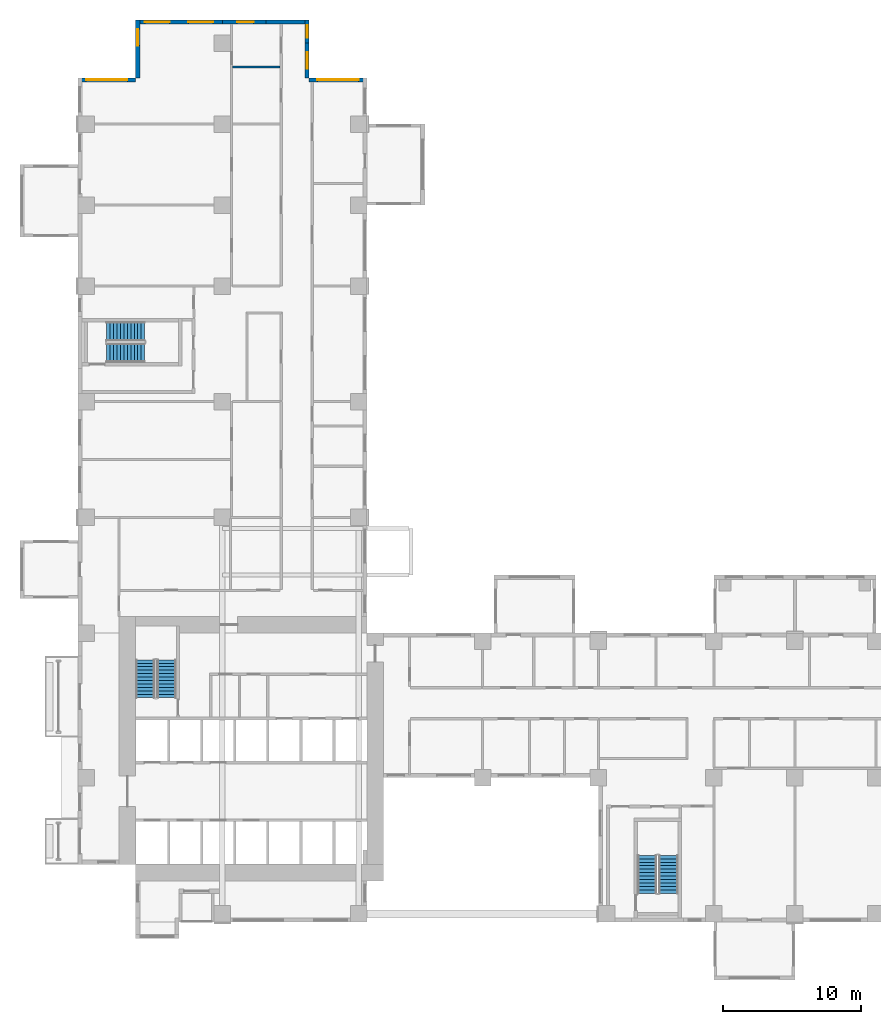
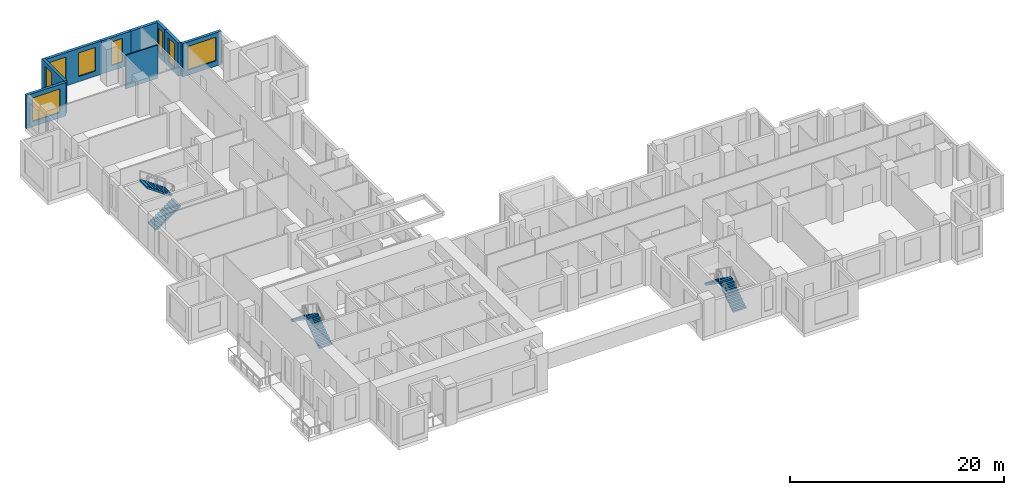
# One storey, part 10 of 14: 9 walls, 8 windows, 6 stair flights, 8 openings, 3 elements without a shape of their own.
"""IFC4 building model written with IfcOpenShell, lengths in metres."""

import ifcopenshell
import ifcopenshell.guid

model = None  # the IFC model being written
_history = None  # IfcOwnerHistory: only IFC2X3 demands one
_inside = {}  # id of a spatial element -> (the spatial element, [elements in it])
_under = {}  # id of a project, library or spatial element -> (it, [spatial elements below it])
_declared = {}  # id of a project -> (the project, [libraries it declares])
_typed = {}  # id of a type object -> (the type object, [elements of that type])
_made_of = {}  # id of a material, layer set ... -> (it, [elements and type objects made of it])


def new_model(schema):
    """Start an empty IFC model of exactly this schema.

    Asked for "IFC4X3", IfcOpenShell would pick the latest addendum, in which some entities
    have other attributes; the version numbers below select the first issue.
    IFC2X3 requires an IfcOwnerHistory on every rooted entity: one is made here for all.
    """
    global model, _history
    if schema == "IFC4X3":
        model = ifcopenshell.file(schema_version=(4, 3, 0, 0))
    else:
        model = ifcopenshell.file(schema=schema)
    _inside.clear()
    _under.clear()
    _declared.clear()
    _typed.clear()
    _made_of.clear()
    _history = None
    if model.schema == "IFC2X3":
        org = make("IfcOrganization", Name="unknown")
        user = make(
            "IfcPersonAndOrganization",
            ThePerson=make("IfcPerson", FamilyName="unknown"),
            TheOrganization=org,
        )
        app = make(
            "IfcApplication",
            ApplicationDeveloper=org,
            Version="unknown",
            ApplicationFullName="unknown",
            ApplicationIdentifier="unknown",
        )
        _history = make(
            "IfcOwnerHistory",
            OwningUser=user,
            OwningApplication=app,
            ChangeAction="ADDED",
            CreationDate=0,
        )
    return model


def make(cls, **values):
    """One entity of the class cls with the attributes given. An attribute that is None is left unset."""
    return model.create_entity(
        cls, **{name: value for name, value in values.items() if value is not None}
    )


def rooted(cls, **values):
    """An entity with a GlobalId (a new one), such as an element, a storey or a relation."""
    return make(cls, GlobalId=ifcopenshell.guid.new(), OwnerHistory=_history, **values)


def si_unit(unit_type, name, prefix=None):
    """IfcSIUnit, for example si_unit("LENGTHUNIT", "METRE", prefix="MILLI")."""
    return make("IfcSIUnit", UnitType=unit_type, Prefix=prefix, Name=name)


def assignment(units):
    """IfcUnitAssignment: the units of a project."""
    return None if units is None else make("IfcUnitAssignment", Units=units)


def point(xyz):
    """IfcCartesianPoint."""
    return None if xyz is None else make("IfcCartesianPoint", Coordinates=xyz)


def direction(xyz):
    """IfcDirection."""
    return None if xyz is None else make("IfcDirection", DirectionRatios=xyz)


def frame(location, z_axis=None, x_axis=None):
    """IfcAxis2Placement3D, a coordinate frame: its origin and axes. An axis left out is left unset."""
    return make(
        "IfcAxis2Placement3D",
        Location=point(location),
        Axis=direction(z_axis),
        RefDirection=direction(x_axis),
    )


def frame_2d(location, x_axis=None):
    """IfcAxis2Placement2D, a coordinate frame in the plane: its origin and x axis."""
    return make(
        "IfcAxis2Placement2D", Location=point(location), RefDirection=direction(x_axis)
    )


def origin():
    """The frame at (0, 0, 0) with its axes left unset."""
    return frame((0.0, 0.0, 0.0))


def place(relative_to, where):
    """IfcLocalPlacement: puts the frame where relative to a parent placement (None: the world)."""
    return make(
        "IfcLocalPlacement", PlacementRelTo=relative_to, RelativePlacement=where
    )


def context(
    kind, dimensions, precision=None, world=None, true_north=None, identifier=None
):
    """IfcGeometricRepresentationContext, for example the 3D "Model" context."""
    return make(
        "IfcGeometricRepresentationContext",
        ContextIdentifier=identifier,
        ContextType=kind,
        CoordinateSpaceDimension=dimensions,
        Precision=precision,
        WorldCoordinateSystem=world,
        TrueNorth=true_north,
    )


def subcontext(parent, identifier, kind, view, scale=None):
    """IfcGeometricRepresentationSubContext, for example "Body" below "Model"."""
    return make(
        "IfcGeometricRepresentationSubContext",
        ContextIdentifier=identifier,
        ContextType=kind,
        ParentContext=parent,
        TargetScale=scale,
        TargetView=view,
    )


def project(units=None, contexts=None):
    """IfcProject with its units and contexts."""
    return rooted(
        "IfcProject",
        Name="project",
        RepresentationContexts=contexts,
        UnitsInContext=assignment(units),
    )


def spatial(cls, under=None, at=None, **own):
    """A site, building, storey or space (cls), placed at a placement, below another one or the project."""
    s = rooted(cls, ObjectPlacement=at, **own)
    if under is not None:
        _under.setdefault(under.id(), (under, []))[1].append(s)
    return s


def polyline(points):
    """IfcPolyline through the points."""
    return make("IfcPolyline", Points=[point(p) for p in points])


def profile(cls, at=None, kind="AREA", **sizes):
    """A parametric profile (cls). Its sizes go by their IFC names, for example OverallWidth=200.0."""
    return make(cls, ProfileType=kind, Position=at, **sizes)


def rectangle(**sizes):
    """IfcRectangleProfileDef."""
    return profile("IfcRectangleProfileDef", **sizes)


def outline(outer, holes=None, kind="AREA"):
    """IfcArbitraryClosedProfileDef: a profile drawn as a closed curve; with holes, ...WithVoids."""
    if holes is None:
        return make("IfcArbitraryClosedProfileDef", ProfileType=kind, OuterCurve=outer)
    return make(
        "IfcArbitraryProfileDefWithVoids",
        ProfileType=kind,
        OuterCurve=outer,
        InnerCurves=holes,
    )


def extrude(swept, where, along, depth):
    """IfcExtrudedAreaSolid: the profile swept, set in the frame where, extruded along a direction by depth."""
    return make(
        "IfcExtrudedAreaSolid",
        SweptArea=swept,
        Position=where,
        ExtrudedDirection=direction(along),
        Depth=depth,
    )


def shape(context_of_items, identifier, shape_type, items):
    """IfcShapeRepresentation: the items that make up one representation, for example the "Body"."""
    return make(
        "IfcShapeRepresentation",
        ContextOfItems=context_of_items,
        RepresentationIdentifier=identifier,
        RepresentationType=shape_type,
        Items=items,
    )


def source(mapping_origin, context_of_items, identifier, shape_type, items):
    """IfcRepresentationMap: a shape defined once, which mapped items show again and again."""
    return make(
        "IfcRepresentationMap",
        MappingOrigin=mapping_origin,
        MappedRepresentation=shape(context_of_items, identifier, shape_type, items),
    )


def transform(
    local_origin,
    x_axis=None,
    y_axis=None,
    z_axis=None,
    scale=None,
    scale2=None,
    scale3=None,
    uniform=True,
):
    """IfcCartesianTransformationOperator3D, or its non-uniform kind. x_axis, y_axis, z_axis: its Axis1, 2, 3."""
    if uniform:
        return make(
            "IfcCartesianTransformationOperator3D",
            Axis1=direction(x_axis),
            Axis2=direction(y_axis),
            LocalOrigin=point(local_origin),
            Scale=scale,
            Axis3=direction(z_axis),
        )
    return make(
        "IfcCartesianTransformationOperator3DnonUniform",
        Axis1=direction(x_axis),
        Axis2=direction(y_axis),
        LocalOrigin=point(local_origin),
        Scale=scale,
        Axis3=direction(z_axis),
        Scale2=scale2,
        Scale3=scale3,
    )


def mapped(mapping_source, mapping_target):
    """IfcMappedItem: shows the shape of a source again, moved by a transform."""
    return make(
        "IfcMappedItem", MappingSource=mapping_source, MappingTarget=mapping_target
    )


def material(Name=None, Category=None):
    """IfcMaterial."""
    return make("IfcMaterial", Name=Name, Category=Category)


def layer(
    of_material, thickness, ventilated=None, Name=None, Category=None, Priority=None
):
    """IfcMaterialLayer: one layer of a wall or slab, of a material (None: an air gap)."""
    return make(
        "IfcMaterialLayer",
        Material=of_material,
        LayerThickness=thickness,
        IsVentilated=ventilated,
        Name=Name,
        Category=Category,
        Priority=Priority,
    )


def layer_set(layers, Name=None):
    """IfcMaterialLayerSet."""
    return make("IfcMaterialLayerSet", MaterialLayers=layers, LayerSetName=Name)


def made_of(thing, what):
    """Note that an element or type object is made of a material, layer set ...; save() writes the relation."""
    if what is not None:
        _made_of.setdefault(what.id(), (what, []))[1].append(thing)
    return thing


def type_object(cls, material=None, **own):
    """A type object (cls), such as IfcWallType, which elements share."""
    return made_of(rooted(cls, **own), material)


def element(
    cls,
    number,
    at=None,
    inside=None,
    cuts=None,
    type_object=None,
    material=None,
    context=None,
    identifier="Body",
    shape_type=None,
    held_by="IfcProductDefinitionShape",
    body=None,
    shapes=None,
    **own,
):
    """One element of the class cls, such as IfcWall. Its Tag is "e" and its number.

    at: its placement. inside: the storey or other place that contains it. cuts: it is an
    opening in that element (IfcRelVoidsElement). A single representation is given by context,
    identifier, shape_type and body (its items); several are given by shapes. held_by: the class
    of the entity that holds the representations. save() writes the other relations.
    """
    e = rooted(cls, Tag="e%d" % number, ObjectPlacement=at, **own)
    if body is not None:
        shapes = [shape(context, identifier, shape_type, body)]
    if shapes is not None:
        e.Representation = make(held_by, Representations=shapes)
    if inside is not None:
        _inside.setdefault(inside.id(), (inside, []))[1].append(e)
    if cuts is not None:
        rooted(
            "IfcRelVoidsElement", RelatingBuildingElement=cuts, RelatedOpeningElement=e
        )
    if type_object is not None:
        _typed.setdefault(type_object.id(), (type_object, []))[1].append(e)
    return made_of(e, material)


def fill(opening, filler):
    """IfcRelFillsElement: the door or window that sits in an opening."""
    return rooted(
        "IfcRelFillsElement",
        RelatingOpeningElement=opening,
        RelatedBuildingElement=filler,
    )


def aggregate(whole, parts):
    """IfcRelAggregates: a whole, such as a stair, and the parts it consists of."""
    return rooted("IfcRelAggregates", RelatingObject=whole, RelatedObjects=parts)


def save(model, path):
    """Write the relations noted so far, then the file.

    IfcRelAggregates (storeys below a building ...), IfcRelContainedInSpatialStructure (elements
    in a storey), IfcRelDefinesByType, IfcRelAssociatesMaterial and IfcRelDeclares: one each for
    every whole, place, type object, material and project.
    """
    for whole, parts in _under.values():
        aggregate(whole, parts)
    for where, things in _inside.values():
        rooted(
            "IfcRelContainedInSpatialStructure",
            RelatedElements=things,
            RelatingStructure=where,
        )
    for kind, things in _typed.values():
        rooted("IfcRelDefinesByType", RelatedObjects=things, RelatingType=kind)
    for what, things in _made_of.values():
        rooted("IfcRelAssociatesMaterial", RelatedObjects=things, RelatingMaterial=what)
    for by, libraries in _declared.values():
        rooted("IfcRelDeclares", RelatingContext=by, RelatedDefinitions=libraries)
    model.write(path)


model = new_model("IFC4")

# Units and contexts
model_context = context("Model", 3, precision=1e-05, world=origin(), true_north=direction((0.0, 1.0)))
body_context = subcontext(model_context, "Body", "Model", "MODEL_VIEW")
ifc_project = project(units=[si_unit("LENGTHUNIT", "METRE"), si_unit("AREAUNIT", "SQUARE_METRE"), si_unit("VOLUMEUNIT", "CUBIC_METRE"), si_unit("PLANEANGLEUNIT", "RADIAN"), si_unit("MASSUNIT", "GRAM", prefix="KILO")], contexts=[model_context])

# Site, building, storey
site_placement = place(None, origin())
site = spatial("IfcSite", under=ifc_project, at=site_placement, CompositionType="ELEMENT")
building_placement = place(site_placement, origin())
building = spatial("IfcBuilding", under=site, at=building_placement, Name="Aurelian Terraces", CompositionType="ELEMENT")
storey_placement = place(building_placement, frame((0.0, 0.0, 57.3)))
storey = spatial("IfcBuildingStorey", under=building, at=storey_placement, Name="L11", CompositionType="ELEMENT", Elevation=57.3)

# Wall
ifc_material_1 = material(Name="Terracotta rainscreen cladding", Category="masonry")
ifc_layer_1 = layer(ifc_material_1, 0.3)
ifc_layer_set_1 = layer_set([ifc_layer_1], Name="EW-300")
wall_type_1 = type_object("IfcWallType", Name="EW-300", PredefinedType="STANDARD", material=ifc_layer_set_1)
shared_shape_1 = source(origin(), body_context, "Body", "SweptSolid", [
    extrude(rectangle(XDim=3.15, YDim=0.3, at=frame_2d((1.575, 0.0))), origin(), (0.0, 0.0, 1.0), 3.8),
])
wall_1_placement = place(storey_placement, frame((16.8, 65.37, 0.0), z_axis=(0.0, 0.0, 1.0), x_axis=(-1.0, 0.0, 0.0)))
element("IfcWall", 1, at=wall_1_placement, inside=storey, type_object=wall_type_1, Name="External wall L11 F15.34", PredefinedType="STANDARD", context=body_context, shape_type="MappedRepresentation", body=[
    mapped(shared_shape_1, transform((0.0, 0.0, 0.0), scale=1.0)),
])

# Wall, opening, window
wall_2_placement = place(storey_placement, frame((13.65, 65.37, 0.0), z_axis=(0.0, 0.0, 1.0), x_axis=(-1.0, 0.0, 0.0)))
wall_2 = element("IfcWall", 2, at=wall_2_placement, inside=storey, type_object=wall_type_1, Name="External wall L11 F15.35", PredefinedType="STANDARD", context=body_context, shape_type="MappedRepresentation", body=[
    mapped(shared_shape_1, transform((0.0, 0.0, 0.0), scale=1.0)),
])
shared_shape_2 = source(origin(), body_context, "Body", "SweptSolid", [
    extrude(rectangle(XDim=1.2, YDim=2.7, at=frame_2d((0.6, 1.35))), frame((0.0, 0.16, 0.0), z_axis=(0.0, -1.0, 0.0), x_axis=(1.0, 0.0, 0.0)), (0.0, 0.0, 1.0), 0.32),
])
opening_1_placement = place(wall_2_placement, frame((0.8875, 0.0, 0.6)))
opening_1 = element("IfcOpeningElement", 3, at=opening_1_placement, cuts=wall_2, Name="Opening W1227", PredefinedType="OPENING", context=body_context, shape_type="MappedRepresentation", body=[
    mapped(shared_shape_2, transform((0.0, 0.0, 0.0), scale=1.0)),
])
ifc_material_2 = material(Name="Clear glazing", Category="glass")
window_type_1 = type_object("IfcWindowType", Name="W-1200x2700", PartitioningType="SINGLE_PANEL", PredefinedType="WINDOW", material=ifc_material_2)
shared_shape_3 = source(origin(), body_context, "Body", "SweptSolid", [
    extrude(rectangle(XDim=1.2, YDim=2.7, at=frame_2d((0.6, 1.35))), frame((0.0, 0.03, 0.0), z_axis=(0.0, -1.0, 0.0), x_axis=(1.0, 0.0, 0.0)), (0.0, 0.0, 1.0), 0.06),
])
window_1_placement = place(opening_1_placement, origin())
window_1 = element("IfcWindow", 4, at=window_1_placement, inside=storey, type_object=window_type_1, Name="Window L11 L11-F15-35-0", OverallHeight=2.7, OverallWidth=1.2, PartitioningType="SINGLE_PANEL", PredefinedType="WINDOW", context=body_context, shape_type="MappedRepresentation", body=[
    mapped(shared_shape_3, transform((0.0, 0.0, 0.0), scale=1.0)),
])
fill(opening_1, window_1)

shared_shape_4 = source(origin(), body_context, "Body", "SweptSolid", [
    extrude(rectangle(XDim=4.2, YDim=0.3, at=frame_2d((2.1, 0.0))), origin(), (0.0, 0.0, 1.0), 3.8),
])
wall_3_placement = place(storey_placement, frame((21.0, 61.17, 0.0), z_axis=(0.0, 0.0, 1.0), x_axis=(-1.0, 0.0, 0.0)))
wall_3 = element("IfcWall", 5, at=wall_3_placement, inside=storey, type_object=wall_type_1, Name="External wall L11 F13.31", PredefinedType="STANDARD", context=body_context, shape_type="MappedRepresentation", body=[
    mapped(shared_shape_4, transform((0.0, 0.0, 0.0), scale=1.0)),
])
shared_shape_5 = source(origin(), body_context, "Body", "SweptSolid", [
    extrude(rectangle(XDim=3.0, YDim=2.7, at=frame_2d((1.5, 1.35))), frame((0.0, 0.16, 0.0), z_axis=(0.0, -1.0, 0.0), x_axis=(1.0, 0.0, 0.0)), (0.0, 0.0, 1.0), 0.32),
])
opening_2_placement = place(wall_3_placement, frame((0.6, 0.0, 0.6)))
opening_2 = element("IfcOpeningElement", 6, at=opening_2_placement, cuts=wall_3, Name="Opening W3027", PredefinedType="OPENING", context=body_context, shape_type="MappedRepresentation", body=[
    mapped(shared_shape_5, transform((0.0, 0.0, 0.0), scale=1.0)),
])
window_type_2 = type_object("IfcWindowType", Name="W-3000x2700", PartitioningType="SINGLE_PANEL", PredefinedType="WINDOW", material=ifc_material_2)
shared_shape_6 = source(origin(), body_context, "Body", "SweptSolid", [
    extrude(rectangle(XDim=3.0, YDim=2.7, at=frame_2d((1.5, 1.35))), frame((0.0, 0.03, 0.0), z_axis=(0.0, -1.0, 0.0), x_axis=(1.0, 0.0, 0.0)), (0.0, 0.0, 1.0), 0.06),
])
window_2_placement = place(opening_2_placement, origin())
window_2 = element("IfcWindow", 7, at=window_2_placement, inside=storey, type_object=window_type_2, Name="Window L11 L11-F13-31-0", OverallHeight=2.7, OverallWidth=3.0, PartitioningType="SINGLE_PANEL", PredefinedType="WINDOW", context=body_context, shape_type="MappedRepresentation", body=[
    mapped(shared_shape_6, transform((0.0, 0.0, 0.0), scale=1.0)),
])
fill(opening_2, window_2)

wall_4_placement = place(storey_placement, frame((4.35, 65.52, 0.0), z_axis=(0.0, 0.0, 1.0), x_axis=(0.0, -1.0, 0.0)))
wall_4 = element("IfcWall", 8, at=wall_4_placement, inside=storey, type_object=wall_type_1, Name="External wall L11 F16.37", PredefinedType="STANDARD", context=body_context, shape_type="MappedRepresentation", body=[
    mapped(shared_shape_4, transform((0.0, 0.0, 0.0), scale=1.0)),
])
opening_3_placement = place(wall_4_placement, frame((0.66, 0.0, 0.6)))
opening_3 = element("IfcOpeningElement", 9, at=opening_3_placement, cuts=wall_4, Name="Opening W1227", PredefinedType="OPENING", context=body_context, shape_type="MappedRepresentation", body=[
    mapped(shared_shape_2, transform((0.0, 0.0, 0.0), scale=1.0)),
])
window_3_placement = place(opening_3_placement, origin())
window_3 = element("IfcWindow", 10, at=window_3_placement, inside=storey, type_object=window_type_1, Name="Window L11 L11-F16-37-0", OverallHeight=2.7, OverallWidth=1.2, PartitioningType="SINGLE_PANEL", PredefinedType="WINDOW", context=body_context, shape_type="MappedRepresentation", body=[
    mapped(shared_shape_3, transform((0.0, 0.0, 0.0), scale=1.0)),
])
fill(opening_3, window_3)

wall_5_placement = place(storey_placement, frame((4.2, 61.17, 0.0), z_axis=(0.0, 0.0, 1.0), x_axis=(-1.0, 0.0, 0.0)))
wall_5 = element("IfcWall", 11, at=wall_5_placement, inside=storey, type_object=wall_type_1, Name="External wall L11 F17.38", PredefinedType="STANDARD", context=body_context, shape_type="MappedRepresentation", body=[
    mapped(shared_shape_4, transform((0.0, 0.0, 0.0), scale=1.0)),
])
opening_4_placement = place(wall_5_placement, frame((0.6, 0.0, 0.6)))
opening_4 = element("IfcOpeningElement", 12, at=opening_4_placement, cuts=wall_5, Name="Opening W3027", PredefinedType="OPENING", context=body_context, shape_type="MappedRepresentation", body=[
    mapped(shared_shape_5, transform((0.0, 0.0, 0.0), scale=1.0)),
])
window_4_placement = place(opening_4_placement, origin())
window_4 = element("IfcWindow", 13, at=window_4_placement, inside=storey, type_object=window_type_2, Name="Window L11 L11-F17-38-0", OverallHeight=2.7, OverallWidth=3.0, PartitioningType="SINGLE_PANEL", PredefinedType="WINDOW", context=body_context, shape_type="MappedRepresentation", body=[
    mapped(shared_shape_6, transform((0.0, 0.0, 0.0), scale=1.0)),
])
fill(opening_4, window_4)

shared_shape_7 = source(origin(), body_context, "Body", "SweptSolid", [
    extrude(rectangle(XDim=2.52, YDim=0.3, at=frame_2d((1.26, 0.0))), origin(), (0.0, 0.0, 1.0), 3.8),
])
wall_6_placement = place(storey_placement, frame((16.65, 61.32, 0.0), z_axis=(0.0, 0.0, 1.0), x_axis=(0.0, 1.0, 0.0)))
wall_6 = element("IfcWall", 14, at=wall_6_placement, inside=storey, type_object=wall_type_1, Name="External wall L11 F14.32", PredefinedType="STANDARD", context=body_context, shape_type="MappedRepresentation", body=[
    mapped(shared_shape_7, transform((0.0, 0.0, 0.0), scale=1.0)),
])
opening_5_placement = place(wall_6_placement, frame((0.66, 0.0, 0.6)))
opening_5 = element("IfcOpeningElement", 15, at=opening_5_placement, cuts=wall_6, Name="Opening W1227", PredefinedType="OPENING", context=body_context, shape_type="MappedRepresentation", body=[
    mapped(shared_shape_2, transform((0.0, 0.0, 0.0), scale=1.0)),
])
window_5_placement = place(opening_5_placement, origin())
window_5 = element("IfcWindow", 16, at=window_5_placement, inside=storey, type_object=window_type_1, Name="Window L11 L11-F14-32-0", OverallHeight=2.7, OverallWidth=1.2, PartitioningType="SINGLE_PANEL", PredefinedType="WINDOW", context=body_context, shape_type="MappedRepresentation", body=[
    mapped(shared_shape_3, transform((0.0, 0.0, 0.0), scale=1.0)),
])
fill(opening_5, window_5)

shared_shape_8 = source(origin(), body_context, "Body", "SweptSolid", [
    extrude(rectangle(XDim=1.68, YDim=0.3, at=frame_2d((0.84, 0.0))), origin(), (0.0, 0.0, 1.0), 3.8),
])
wall_7_placement = place(storey_placement, frame((16.65, 63.84, 0.0), z_axis=(0.0, 0.0, 1.0), x_axis=(0.0, 1.0, 0.0)))
wall_7 = element("IfcWall", 17, at=wall_7_placement, inside=storey, type_object=wall_type_1, Name="External wall L11 F14.33", PredefinedType="STANDARD", context=body_context, shape_type="MappedRepresentation", body=[
    mapped(shared_shape_8, transform((0.0, 0.0, 0.0), scale=1.0)),
])
shared_shape_9 = source(origin(), body_context, "Body", "SweptSolid", [
    extrude(rectangle(XDim=0.9, YDim=2.7, at=frame_2d((0.45, 1.35))), frame((0.0, 0.16, 0.0), z_axis=(0.0, -1.0, 0.0), x_axis=(1.0, 0.0, 0.0)), (0.0, 0.0, 1.0), 0.32),
])
opening_6_placement = place(wall_7_placement, frame((0.39, 0.0, 0.6)))
opening_6 = element("IfcOpeningElement", 18, at=opening_6_placement, cuts=wall_7, Name="Opening W0927", PredefinedType="OPENING", context=body_context, shape_type="MappedRepresentation", body=[
    mapped(shared_shape_9, transform((0.0, 0.0, 0.0), scale=1.0)),
])
window_type_3 = type_object("IfcWindowType", Name="W-900x2700", PartitioningType="SINGLE_PANEL", PredefinedType="WINDOW", material=ifc_material_2)
shared_shape_10 = source(origin(), body_context, "Body", "SweptSolid", [
    extrude(rectangle(XDim=0.9, YDim=2.7, at=frame_2d((0.45, 1.35))), frame((0.0, 0.03, 0.0), z_axis=(0.0, -1.0, 0.0), x_axis=(1.0, 0.0, 0.0)), (0.0, 0.0, 1.0), 0.06),
])
window_6_placement = place(opening_6_placement, origin())
window_6 = element("IfcWindow", 19, at=window_6_placement, inside=storey, type_object=window_type_3, Name="Window L11 L11-F14-33-P0", OverallHeight=2.7, OverallWidth=0.9, PartitioningType="SINGLE_PANEL", PredefinedType="WINDOW", context=body_context, shape_type="MappedRepresentation", body=[
    mapped(shared_shape_10, transform((0.0, 0.0, 0.0), scale=1.0)),
])
fill(opening_6, window_6)

# Wall, openings, windows
shared_shape_11 = source(origin(), body_context, "Body", "SweptSolid", [
    extrude(rectangle(XDim=6.3, YDim=0.3, at=frame_2d((3.15, 0.0))), origin(), (0.0, 0.0, 1.0), 3.8),
])
wall_8_placement = place(storey_placement, frame((10.5, 65.37, 0.0), z_axis=(0.0, 0.0, 1.0), x_axis=(-1.0, 0.0, 0.0)))
wall_8 = element("IfcWall", 20, at=wall_8_placement, inside=storey, type_object=wall_type_1, Name="External wall L11 F15.36", PredefinedType="STANDARD", context=body_context, shape_type="MappedRepresentation", body=[
    mapped(shared_shape_11, transform((0.0, 0.0, 0.0), scale=1.0)),
])
shared_shape_12 = source(origin(), body_context, "Body", "SweptSolid", [
    extrude(rectangle(XDim=1.8, YDim=2.7, at=frame_2d((0.9, 1.35))), frame((0.0, 0.16, 0.0), z_axis=(0.0, -1.0, 0.0), x_axis=(1.0, 0.0, 0.0)), (0.0, 0.0, 1.0), 0.32),
])
opening_7_placement = place(wall_8_placement, frame((0.675, 0.0, 0.6)))
opening_7 = element("IfcOpeningElement", 21, at=opening_7_placement, cuts=wall_8, Name="Opening W1827", PredefinedType="OPENING", context=body_context, shape_type="MappedRepresentation", body=[
    mapped(shared_shape_12, transform((0.0, 0.0, 0.0), scale=1.0)),
])
opening_8_placement = place(wall_8_placement, frame((3.825, 0.0, 0.6)))
opening_8 = element("IfcOpeningElement", 22, at=opening_8_placement, cuts=wall_8, Name="Opening W1827", PredefinedType="OPENING", context=body_context, shape_type="MappedRepresentation", body=[
    mapped(shared_shape_12, transform((0.0, 0.0, 0.0), scale=1.0)),
])
window_type_4 = type_object("IfcWindowType", Name="W-1800x2700", PartitioningType="SINGLE_PANEL", PredefinedType="WINDOW", material=ifc_material_2)
shared_shape_13 = source(origin(), body_context, "Body", "SweptSolid", [
    extrude(rectangle(XDim=1.8, YDim=2.7, at=frame_2d((0.9, 1.35))), frame((0.0, 0.03, 0.0), z_axis=(0.0, -1.0, 0.0), x_axis=(1.0, 0.0, 0.0)), (0.0, 0.0, 1.0), 0.06),
])
window_7_placement = place(opening_7_placement, origin())
window_7 = element("IfcWindow", 23, at=window_7_placement, inside=storey, type_object=window_type_4, Name="Window L11 L11-F15-36-0", OverallHeight=2.7, OverallWidth=1.8, PartitioningType="SINGLE_PANEL", PredefinedType="WINDOW", context=body_context, shape_type="MappedRepresentation", body=[
    mapped(shared_shape_13, transform((0.0, 0.0, 0.0), scale=1.0)),
])
fill(opening_7, window_7)
window_8_placement = place(opening_8_placement, origin())
window_8 = element("IfcWindow", 24, at=window_8_placement, inside=storey, type_object=window_type_4, Name="Window L11 L11-F15-36-1", OverallHeight=2.7, OverallWidth=1.8, PartitioningType="SINGLE_PANEL", PredefinedType="WINDOW", context=body_context, shape_type="MappedRepresentation", body=[
    mapped(shared_shape_13, transform((0.0, 0.0, 0.0), scale=1.0)),
])
fill(opening_8, window_8)

# Wall
ifc_material_3 = material(Name="Gypsum board on steel studs", Category="steel")
ifc_layer_2 = layer(ifc_material_3, 0.15)
ifc_layer_set_2 = layer_set([ifc_layer_2], Name="Partition 150")
wall_type_2 = type_object("IfcWallType", Name="Partition 150", PredefinedType="PARTITIONING", material=ifc_layer_set_2)
shared_shape_14 = source(origin(), body_context, "Body", "SweptSolid", [
    extrude(rectangle(XDim=3.45, YDim=0.15, at=frame_2d((1.725, 0.0))), origin(), (0.0, 0.0, 1.0), 3.8),
])
wall_9_placement = place(storey_placement, frame((14.7, 62.0935, 0.0), z_axis=(0.0, 0.0, 1.0), x_axis=(-1.0, 0.0, 0.0)))
element("IfcWall", 25, at=wall_9_placement, inside=storey, type_object=wall_type_2, Name="Partition", PredefinedType="PARTITIONING", context=body_context, shape_type="MappedRepresentation", body=[
    mapped(shared_shape_14, transform((0.0, 0.0, 0.0), scale=1.0)),
])

# Stair, stair flights
ifc_material_4 = material(Name="Concrete fc' 40 MPa", Category="concrete")
stair_type = type_object("IfcStairType", Name="Stair 1400", PredefinedType="HALF_TURN_STAIR", material=ifc_material_4)
stair_1_placement = place(storey_placement, origin())
stair_1 = element("IfcStair", 26, at=stair_1_placement, inside=storey, type_object=stair_type, Name="L11 S1", PredefinedType="HALF_TURN_STAIR")
stair_flight_type = type_object("IfcStairFlightType", Name="Stair flight 1400", PredefinedType="STRAIGHT", material=ifc_material_4)
shared_shape_15 = source(origin(), body_context, "Body", "SweptSolid", [
    extrude(outline(polyline([(0.0, 0.0), (0.0, 0.175), (0.25, 0.175), (0.25, 0.35), (0.5, 0.35), (0.5, 0.525), (0.75, 0.525), (0.75, 0.7), (1.0, 0.7), (1.0, 0.875), (1.25, 0.875), (1.25, 1.05), (1.5, 1.05), (1.5, 1.225), (1.75, 1.225), (1.75, 1.4), (2.0, 1.4), (2.0, 1.575), (2.25, 1.575), (2.25, 1.75), (2.5, 1.75), (2.5, 1.925), (2.75, 1.925), (2.75, 2.1), (2.75, 1.7419), (0.2616, 0.0), (0.0, 0.0)])), frame((0.0, 0.7, 0.0), z_axis=(0.0, -1.0, 0.0), x_axis=(1.0, 0.0, 0.0)), (0.0, 0.0, 1.0), 1.4),
])
stair_flight_1_placement = place(storey_placement, frame((6.45, 16.3, 2e-08), z_axis=(0.0, 0.0, 1.0), x_axis=(0.0, 1.0, 0.0)))
stair_flight_1 = element("IfcStairFlight", 27, at=stair_flight_1_placement, type_object=stair_flight_type, Name="S1 flight 1", NumberOfRisers=12, NumberOfTreads=11, PredefinedType="STRAIGHT", RiserHeight=0.175, TreadLength=0.25, context=body_context, shape_type="MappedRepresentation", body=[
    mapped(shared_shape_15, transform((0.0, 0.0, 0.0), scale=1.0)),
])
stair_flight_2_placement = place(storey_placement, frame((4.9, 19.05, 2.1000000200000013), z_axis=(0.0, 0.0, 1.0), x_axis=(0.0, -1.0, 0.0)))
stair_flight_2 = element("IfcStairFlight", 28, at=stair_flight_2_placement, type_object=stair_flight_type, Name="S1 flight 2", NumberOfRisers=12, NumberOfTreads=11, PredefinedType="STRAIGHT", RiserHeight=0.175, TreadLength=0.25, context=body_context, shape_type="MappedRepresentation", body=[
    mapped(shared_shape_15, transform((0.0, 0.0, 0.0), scale=1.0)),
])
aggregate(stair_1, [stair_flight_1, stair_flight_2])

stair_2_placement = place(storey_placement, origin())
stair_2 = element("IfcStair", 29, at=stair_2_placement, inside=storey, type_object=stair_type, Name="L11 S2", PredefinedType="HALF_TURN_STAIR")
stair_flight_3_placement = place(storey_placement, frame((42.9, 2.1, 2e-08), z_axis=(0.0, 0.0, 1.0), x_axis=(0.0, 1.0, 0.0)))
stair_flight_3 = element("IfcStairFlight", 30, at=stair_flight_3_placement, type_object=stair_flight_type, Name="S2 flight 1", NumberOfRisers=12, NumberOfTreads=11, PredefinedType="STRAIGHT", RiserHeight=0.175, TreadLength=0.25, context=body_context, shape_type="MappedRepresentation", body=[
    mapped(shared_shape_15, transform((0.0, 0.0, 0.0), scale=1.0)),
])
stair_flight_4_placement = place(storey_placement, frame((41.35, 4.85, 2.1000000200000013), z_axis=(0.0, 0.0, 1.0), x_axis=(0.0, -1.0, 0.0)))
stair_flight_4 = element("IfcStairFlight", 31, at=stair_flight_4_placement, type_object=stair_flight_type, Name="S2 flight 2", NumberOfRisers=12, NumberOfTreads=11, PredefinedType="STRAIGHT", RiserHeight=0.175, TreadLength=0.25, context=body_context, shape_type="MappedRepresentation", body=[
    mapped(shared_shape_15, transform((0.0, 0.0, 0.0), scale=1.0)),
])
aggregate(stair_2, [stair_flight_3, stair_flight_4])

stair_3_placement = place(storey_placement, origin())
stair_3 = element("IfcStair", 32, at=stair_3_placement, inside=storey, type_object=stair_type, Name="L11 S3", PredefinedType="HALF_TURN_STAIR")
stair_flight_5_placement = place(storey_placement, frame((2.1, 41.35, 2e-08), z_axis=(0.0, 0.0, 1.0), x_axis=(1.0, 0.0, 0.0)))
stair_flight_5 = element("IfcStairFlight", 33, at=stair_flight_5_placement, type_object=stair_flight_type, Name="S3 flight 1", NumberOfRisers=12, NumberOfTreads=11, PredefinedType="STRAIGHT", RiserHeight=0.175, TreadLength=0.25, context=body_context, shape_type="MappedRepresentation", body=[
    mapped(shared_shape_15, transform((0.0, 0.0, 0.0), scale=1.0)),
])
stair_flight_6_placement = place(storey_placement, frame((4.85, 42.9, 2.1000000200000013), z_axis=(0.0, 0.0, 1.0), x_axis=(-1.0, 0.0, 0.0)))
stair_flight_6 = element("IfcStairFlight", 34, at=stair_flight_6_placement, type_object=stair_flight_type, Name="S3 flight 2", NumberOfRisers=12, NumberOfTreads=11, PredefinedType="STRAIGHT", RiserHeight=0.175, TreadLength=0.25, context=body_context, shape_type="MappedRepresentation", body=[
    mapped(shared_shape_15, transform((0.0, 0.0, 0.0), scale=1.0)),
])
aggregate(stair_3, [stair_flight_5, stair_flight_6])

save(model, "model.ifc")
